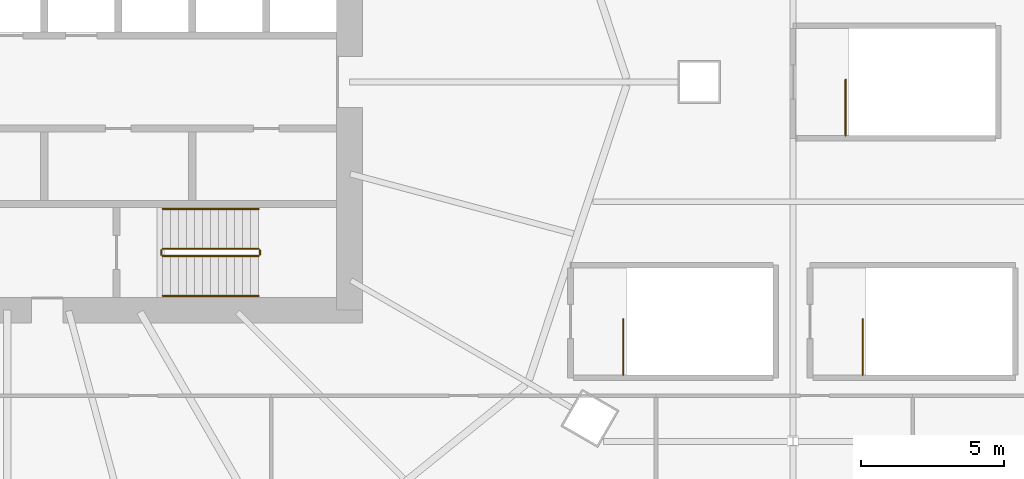
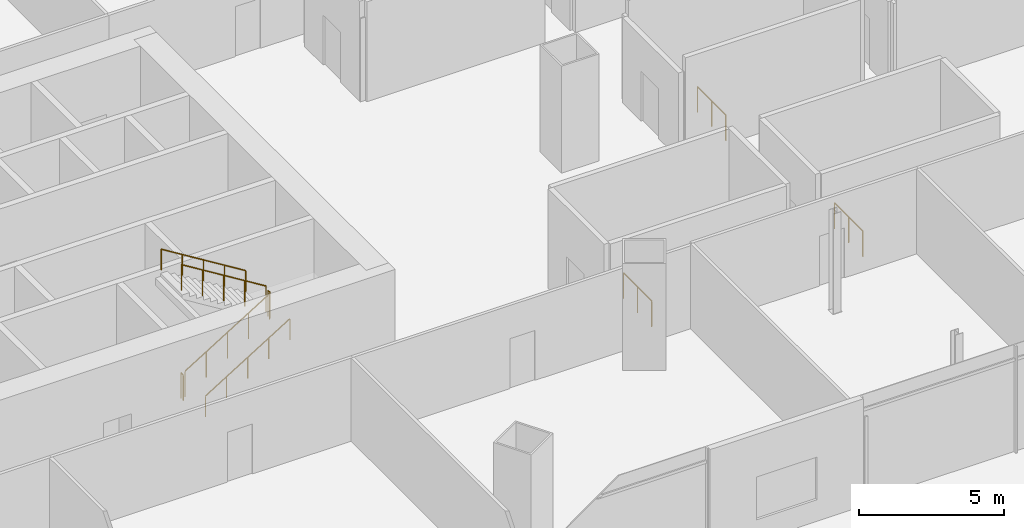
# One storey, part 41 of 49: 9 railings.
"""IFC4 building model written with IfcOpenShell, lengths in metres."""

import ifcopenshell
import ifcopenshell.guid

model = None  # the IFC model being written
_history = None  # IfcOwnerHistory: only IFC2X3 demands one
_inside = {}  # id of a spatial element -> (the spatial element, [elements in it])
_under = {}  # id of a project, library or spatial element -> (it, [spatial elements below it])
_declared = {}  # id of a project -> (the project, [libraries it declares])
_typed = {}  # id of a type object -> (the type object, [elements of that type])
_made_of = {}  # id of a material, layer set ... -> (it, [elements and type objects made of it])


def new_model(schema):
    """Start an empty IFC model of exactly this schema.

    Asked for "IFC4X3", IfcOpenShell would pick the latest addendum, in which some entities
    have other attributes; the version numbers below select the first issue.
    IFC2X3 requires an IfcOwnerHistory on every rooted entity: one is made here for all.
    """
    global model, _history
    if schema == "IFC4X3":
        model = ifcopenshell.file(schema_version=(4, 3, 0, 0))
    else:
        model = ifcopenshell.file(schema=schema)
    _inside.clear()
    _under.clear()
    _declared.clear()
    _typed.clear()
    _made_of.clear()
    _history = None
    if model.schema == "IFC2X3":
        org = make("IfcOrganization", Name="unknown")
        user = make(
            "IfcPersonAndOrganization",
            ThePerson=make("IfcPerson", FamilyName="unknown"),
            TheOrganization=org,
        )
        app = make(
            "IfcApplication",
            ApplicationDeveloper=org,
            Version="unknown",
            ApplicationFullName="unknown",
            ApplicationIdentifier="unknown",
        )
        _history = make(
            "IfcOwnerHistory",
            OwningUser=user,
            OwningApplication=app,
            ChangeAction="ADDED",
            CreationDate=0,
        )
    return model


def make(cls, **values):
    """One entity of the class cls with the attributes given. An attribute that is None is left unset."""
    return model.create_entity(
        cls, **{name: value for name, value in values.items() if value is not None}
    )


def rooted(cls, **values):
    """An entity with a GlobalId (a new one), such as an element, a storey or a relation."""
    return make(cls, GlobalId=ifcopenshell.guid.new(), OwnerHistory=_history, **values)


def si_unit(unit_type, name, prefix=None):
    """IfcSIUnit, for example si_unit("LENGTHUNIT", "METRE", prefix="MILLI")."""
    return make("IfcSIUnit", UnitType=unit_type, Prefix=prefix, Name=name)


def assignment(units):
    """IfcUnitAssignment: the units of a project."""
    return None if units is None else make("IfcUnitAssignment", Units=units)


def point(xyz):
    """IfcCartesianPoint."""
    return None if xyz is None else make("IfcCartesianPoint", Coordinates=xyz)


def direction(xyz):
    """IfcDirection."""
    return None if xyz is None else make("IfcDirection", DirectionRatios=xyz)


def frame(location, z_axis=None, x_axis=None):
    """IfcAxis2Placement3D, a coordinate frame: its origin and axes. An axis left out is left unset."""
    return make(
        "IfcAxis2Placement3D",
        Location=point(location),
        Axis=direction(z_axis),
        RefDirection=direction(x_axis),
    )


def frame_2d(location, x_axis=None):
    """IfcAxis2Placement2D, a coordinate frame in the plane: its origin and x axis."""
    return make(
        "IfcAxis2Placement2D", Location=point(location), RefDirection=direction(x_axis)
    )


def origin():
    """The frame at (0, 0, 0) with its axes left unset."""
    return frame((0.0, 0.0, 0.0))


def origin_2d():
    """The frame at (0, 0) in the plane with its x axis left unset."""
    return frame_2d((0.0, 0.0))


def place(relative_to, where):
    """IfcLocalPlacement: puts the frame where relative to a parent placement (None: the world)."""
    return make(
        "IfcLocalPlacement", PlacementRelTo=relative_to, RelativePlacement=where
    )


def context(
    kind, dimensions, precision=None, world=None, true_north=None, identifier=None
):
    """IfcGeometricRepresentationContext, for example the 3D "Model" context."""
    return make(
        "IfcGeometricRepresentationContext",
        ContextIdentifier=identifier,
        ContextType=kind,
        CoordinateSpaceDimension=dimensions,
        Precision=precision,
        WorldCoordinateSystem=world,
        TrueNorth=true_north,
    )


def subcontext(parent, identifier, kind, view, scale=None):
    """IfcGeometricRepresentationSubContext, for example "Body" below "Model"."""
    return make(
        "IfcGeometricRepresentationSubContext",
        ContextIdentifier=identifier,
        ContextType=kind,
        ParentContext=parent,
        TargetScale=scale,
        TargetView=view,
    )


def project(units=None, contexts=None):
    """IfcProject with its units and contexts."""
    return rooted(
        "IfcProject",
        Name="project",
        RepresentationContexts=contexts,
        UnitsInContext=assignment(units),
    )


def spatial(cls, under=None, at=None, **own):
    """A site, building, storey or space (cls), placed at a placement, below another one or the project."""
    s = rooted(cls, ObjectPlacement=at, **own)
    if under is not None:
        _under.setdefault(under.id(), (under, []))[1].append(s)
    return s


def profile(cls, at=None, kind="AREA", **sizes):
    """A parametric profile (cls). Its sizes go by their IFC names, for example OverallWidth=200.0."""
    return make(cls, ProfileType=kind, Position=at, **sizes)


def circle(**sizes):
    """IfcCircleProfileDef."""
    return profile("IfcCircleProfileDef", **sizes)


def extrude(swept, where, along, depth):
    """IfcExtrudedAreaSolid: the profile swept, set in the frame where, extruded along a direction by depth."""
    return make(
        "IfcExtrudedAreaSolid",
        SweptArea=swept,
        Position=where,
        ExtrudedDirection=direction(along),
        Depth=depth,
    )


def shape(context_of_items, identifier, shape_type, items):
    """IfcShapeRepresentation: the items that make up one representation, for example the "Body"."""
    return make(
        "IfcShapeRepresentation",
        ContextOfItems=context_of_items,
        RepresentationIdentifier=identifier,
        RepresentationType=shape_type,
        Items=items,
    )


def material(Name=None, Category=None):
    """IfcMaterial."""
    return make("IfcMaterial", Name=Name, Category=Category)


def made_of(thing, what):
    """Note that an element or type object is made of a material, layer set ...; save() writes the relation."""
    if what is not None:
        _made_of.setdefault(what.id(), (what, []))[1].append(thing)
    return thing


def type_object(cls, material=None, **own):
    """A type object (cls), such as IfcWallType, which elements share."""
    return made_of(rooted(cls, **own), material)


def element(
    cls,
    number,
    at=None,
    inside=None,
    cuts=None,
    type_object=None,
    material=None,
    context=None,
    identifier="Body",
    shape_type=None,
    held_by="IfcProductDefinitionShape",
    body=None,
    shapes=None,
    **own,
):
    """One element of the class cls, such as IfcWall. Its Tag is "e" and its number.

    at: its placement. inside: the storey or other place that contains it. cuts: it is an
    opening in that element (IfcRelVoidsElement). A single representation is given by context,
    identifier, shape_type and body (its items); several are given by shapes. held_by: the class
    of the entity that holds the representations. save() writes the other relations.
    """
    e = rooted(cls, Tag="e%d" % number, ObjectPlacement=at, **own)
    if body is not None:
        shapes = [shape(context, identifier, shape_type, body)]
    if shapes is not None:
        e.Representation = make(held_by, Representations=shapes)
    if inside is not None:
        _inside.setdefault(inside.id(), (inside, []))[1].append(e)
    if cuts is not None:
        rooted(
            "IfcRelVoidsElement", RelatingBuildingElement=cuts, RelatedOpeningElement=e
        )
    if type_object is not None:
        _typed.setdefault(type_object.id(), (type_object, []))[1].append(e)
    return made_of(e, material)


def aggregate(whole, parts):
    """IfcRelAggregates: a whole, such as a stair, and the parts it consists of."""
    return rooted("IfcRelAggregates", RelatingObject=whole, RelatedObjects=parts)


def save(model, path):
    """Write the relations noted so far, then the file.

    IfcRelAggregates (storeys below a building ...), IfcRelContainedInSpatialStructure (elements
    in a storey), IfcRelDefinesByType, IfcRelAssociatesMaterial and IfcRelDeclares: one each for
    every whole, place, type object, material and project.
    """
    for whole, parts in _under.values():
        aggregate(whole, parts)
    for where, things in _inside.values():
        rooted(
            "IfcRelContainedInSpatialStructure",
            RelatedElements=things,
            RelatingStructure=where,
        )
    for kind, things in _typed.values():
        rooted("IfcRelDefinesByType", RelatedObjects=things, RelatingType=kind)
    for what, things in _made_of.values():
        rooted("IfcRelAssociatesMaterial", RelatedObjects=things, RelatingMaterial=what)
    for by, libraries in _declared.values():
        rooted("IfcRelDeclares", RelatingContext=by, RelatedDefinitions=libraries)
    model.write(path)


model = new_model("IFC4")

# Units and contexts
model_context = context("Model", 3, precision=1e-05, world=origin(), true_north=direction((0.0, 1.0)))
body_context = subcontext(model_context, "Body", "Model", "MODEL_VIEW")
ifc_project = project(units=[si_unit("LENGTHUNIT", "METRE"), si_unit("AREAUNIT", "SQUARE_METRE"), si_unit("VOLUMEUNIT", "CUBIC_METRE"), si_unit("PLANEANGLEUNIT", "RADIAN"), si_unit("MASSUNIT", "GRAM", prefix="KILO")], contexts=[model_context])

# Site, building, storey
site_placement = place(None, origin())
site = spatial("IfcSite", under=ifc_project, at=site_placement, CompositionType="ELEMENT")
building_placement = place(site_placement, origin())
building = spatial("IfcBuilding", under=site, at=building_placement, Name="Rimbun Link Towers", CompositionType="ELEMENT")
storey_placement = place(building_placement, frame((0.0, 0.0, 25.5)))
storey = spatial("IfcBuildingStorey", under=building, at=storey_placement, Name="L05", CompositionType="ELEMENT", Elevation=25.5)

# Railings
ifc_material_1 = material(Name="Stainless steel grade 316", Category="steel")
railing_type_1 = type_object("IfcRailingType", Name="Stair guard", PredefinedType="GUARDRAIL", material=ifc_material_1)
railing_1_placement = place(storey_placement, frame((-26.300048828125, -6.10009765625, 0.173095703125)))
element("IfcRailing", 1, at=railing_1_placement, inside=storey, type_object=railing_type_1, Name="L05 ST2 stair guard 1", PredefinedType="GUARDRAIL", context=body_context, shape_type="SweptSolid", body=[
    extrude(circle(Radius=0.02392578125, at=origin_2d()), frame((0.0, 0.0, 1.076171875), z_axis=(0.850623216509, 0.0, 0.525775754039), x_axis=(0.0, 1.0, 0.0)), (0.0, 0.0, 1.0), 3.9501953125),
    extrude(circle(Radius=0.02099609375, at=origin_2d()), origin(), (0.0, 0.0, 1.0), 1.052001953125),
    extrude(circle(Radius=0.02099609375, at=origin_2d()), frame((0.840087890625, 0.0, 0.519287109375)), (0.0, 0.0, 1.0), 1.052001953125),
    extrude(circle(Radius=0.02099609375, at=origin_2d()), frame((1.68017578125, 0.0, 1.03857421875)), (0.0, 0.0, 1.0), 1.052001953125),
    extrude(circle(Radius=0.02099609375, at=origin_2d()), frame((2.52001953125, 0.0, 1.5576171875)), (0.0, 0.0, 1.0), 1.052001953125),
    extrude(circle(Radius=0.02099609375, at=origin_2d()), frame((3.360107421875, 0.0, 2.076904296875)), (0.0, 0.0, 1.0), 1.052001953125),
])
railing_2_placement = place(storey_placement, frame((-22.889892578125, -6.050048828125, 2.25)))
element("IfcRailing", 2, at=railing_2_placement, inside=storey, type_object=railing_type_1, Name="L05 ST2 stair guard 2", PredefinedType="GUARDRAIL", context=body_context, shape_type="SweptSolid", body=[
    extrude(circle(Radius=0.02392578125, at=origin_2d()), frame((0.0, 0.0, 1.076171875), z_axis=(0.0, 1.0, 0.0), x_axis=(-1.0, 0.0, 0.0)), (0.0, 0.0, 1.0), 0.150146484375),
    extrude(circle(Radius=0.02099609375, at=origin_2d()), origin(), (0.0, 0.0, 1.0), 1.052001953125),
    extrude(circle(Radius=0.02099609375, at=origin_2d()), frame((0.0, 0.150146484375, 0.0)), (0.0, 0.0, 1.0), 1.052001953125),
])
railing_3_placement = place(storey_placement, frame((-22.93994140625, -5.85009765625, 2.423095703125)))
element("IfcRailing", 3, at=railing_3_placement, inside=storey, type_object=railing_type_1, Name="L05 ST2 stair guard 3", PredefinedType="GUARDRAIL", context=body_context, shape_type="SweptSolid", body=[
    extrude(circle(Radius=0.02392578125, at=origin_2d()), frame((0.0, 0.0, 1.076171875), z_axis=(-0.850623216509, 0.0, 0.525775754039), x_axis=(0.0, -1.0, 0.0)), (0.0, 0.0, 1.0), 3.9501953125),
    extrude(circle(Radius=0.02099609375, at=origin_2d()), origin(), (0.0, 0.0, 1.0), 1.052001953125),
    extrude(circle(Radius=0.02099609375, at=origin_2d()), frame((-0.840087890625, 0.0, 0.519287109375)), (0.0, 0.0, 1.0), 1.052001953125),
    extrude(circle(Radius=0.02099609375, at=origin_2d()), frame((-1.68017578125, 0.0, 1.03857421875)), (0.0, 0.0, 1.0), 1.052001953125),
    extrude(circle(Radius=0.02099609375, at=origin_2d()), frame((-2.52001953125, 0.0, 1.5576171875)), (0.0, 0.0, 1.0), 1.052001953125),
    extrude(circle(Radius=0.02099609375, at=origin_2d()), frame((-3.360107421875, 0.0, 2.076904296875)), (0.0, 0.0, 1.0), 1.052001953125),
])
railing_4_placement = place(storey_placement, frame((-26.35009765625, -6.050048828125, 0.0)))
element("IfcRailing", 4, at=railing_4_placement, inside=storey, type_object=railing_type_1, Name="L05 ST2 stair guard 4", PredefinedType="GUARDRAIL", context=body_context, shape_type="SweptSolid", body=[
    extrude(circle(Radius=0.02392578125, at=origin_2d()), frame((0.0, 0.0, 1.076171875), z_axis=(0.0, 1.0, 0.0), x_axis=(-1.0, 0.0, 0.0)), (0.0, 0.0, 1.0), 0.150146484375),
    extrude(circle(Radius=0.02099609375, at=origin_2d()), origin(), (0.0, 0.0, 1.0), 1.052001953125),
    extrude(circle(Radius=0.02099609375, at=origin_2d()), frame((0.0, 0.150146484375, 0.0)), (0.0, 0.0, 1.0), 1.052001953125),
])
for number, where, name in (
    (5, (-10.14990234375, -10.27490234375, 0.0), "L05 PS1 top well guard 1"),
    (6, (-1.75, -10.27490234375, 0.0), "L05 PS2 top well guard 1"),
    (7, (-2.35009765625, -1.875, 0.0), "L05 PS6 top well guard 1"),
):
    element("IfcRailing", number, at=place(storey_placement, frame(where)), inside=storey, type_object=railing_type_1, Name=name, PredefinedType="GUARDRAIL", context=body_context, shape_type="SweptSolid", body=[
        extrude(circle(Radius=0.02392578125, at=origin_2d()), frame((0.0, 0.0, 1.076171875), z_axis=(0.0, 1.0, 0.0), x_axis=(-1.0, 0.0, 0.0)), (0.0, 0.0, 1.0), 1.949951171875),
        extrude(circle(Radius=0.02099609375, at=origin_2d()), origin(), (0.0, 0.0, 1.0), 1.052001953125),
        extrude(circle(Radius=0.02099609375, at=origin_2d()), frame((0.0, 0.97509765625, 0.0)), (0.0, 0.0, 1.0), 1.052001953125),
        extrude(circle(Radius=0.02099609375, at=origin_2d()), frame((0.0, 1.949951171875, 0.0)), (0.0, 0.0, 1.0), 1.052001953125),
    ])
ifc_material_2 = material(Name="Stainless steel grade 316", Category="steel")
railing_type_2 = type_object("IfcRailingType", Name="Stair handrail", PredefinedType="HANDRAIL", material=ifc_material_2)
railing_5_placement = place(storey_placement, frame((-26.300048828125, -7.5, 0.173095703125)))
element("IfcRailing", 8, at=railing_5_placement, inside=storey, type_object=railing_type_2, Name="L05 ST2 stair handrail 1", PredefinedType="HANDRAIL", context=body_context, shape_type="SweptSolid", body=[
    extrude(circle(Radius=0.02392578125, at=origin_2d()), frame((0.0, 0.0, 0.8759765625), z_axis=(0.850623216509, 0.0, 0.525775754039), x_axis=(0.0, 1.0, 0.0)), (0.0, 0.0, 1.0), 3.9501953125),
    extrude(circle(Radius=0.02099609375, at=origin_2d()), origin(), (0.0, 0.0, 1.0), 0.851806640625),
    extrude(circle(Radius=0.02099609375, at=origin_2d()), frame((0.840087890625, 0.0, 0.519287109375)), (0.0, 0.0, 1.0), 0.851806640625),
    extrude(circle(Radius=0.02099609375, at=origin_2d()), frame((1.68017578125, 0.0, 1.03857421875)), (0.0, 0.0, 1.0), 0.851806640625),
    extrude(circle(Radius=0.02099609375, at=origin_2d()), frame((2.52001953125, 0.0, 1.5576171875)), (0.0, 0.0, 1.0), 0.851806640625),
    extrude(circle(Radius=0.02099609375, at=origin_2d()), frame((3.360107421875, 0.0, 2.076904296875)), (0.0, 0.0, 1.0), 0.851806640625),
])
railing_6_placement = place(storey_placement, frame((-22.93994140625, -4.449951171875, 2.423095703125)))
element("IfcRailing", 9, at=railing_6_placement, inside=storey, type_object=railing_type_2, Name="L05 ST2 stair handrail 2", PredefinedType="HANDRAIL", context=body_context, shape_type="SweptSolid", body=[
    extrude(circle(Radius=0.02392578125, at=origin_2d()), frame((0.0, 0.0, 0.8759765625), z_axis=(-0.850623216509, 0.0, 0.525775754039), x_axis=(0.0, -1.0, 0.0)), (0.0, 0.0, 1.0), 3.9501953125),
    extrude(circle(Radius=0.02099609375, at=origin_2d()), origin(), (0.0, 0.0, 1.0), 0.851806640625),
    extrude(circle(Radius=0.02099609375, at=origin_2d()), frame((-0.840087890625, 0.0, 0.519287109375)), (0.0, 0.0, 1.0), 0.851806640625),
    extrude(circle(Radius=0.02099609375, at=origin_2d()), frame((-1.68017578125, 0.0, 1.03857421875)), (0.0, 0.0, 1.0), 0.851806640625),
    extrude(circle(Radius=0.02099609375, at=origin_2d()), frame((-2.52001953125, 0.0, 1.5576171875)), (0.0, 0.0, 1.0), 0.851806640625),
    extrude(circle(Radius=0.02099609375, at=origin_2d()), frame((-3.360107421875, 0.0, 2.076904296875)), (0.0, 0.0, 1.0), 0.851806640625),
])

save(model, "model.ifc")
